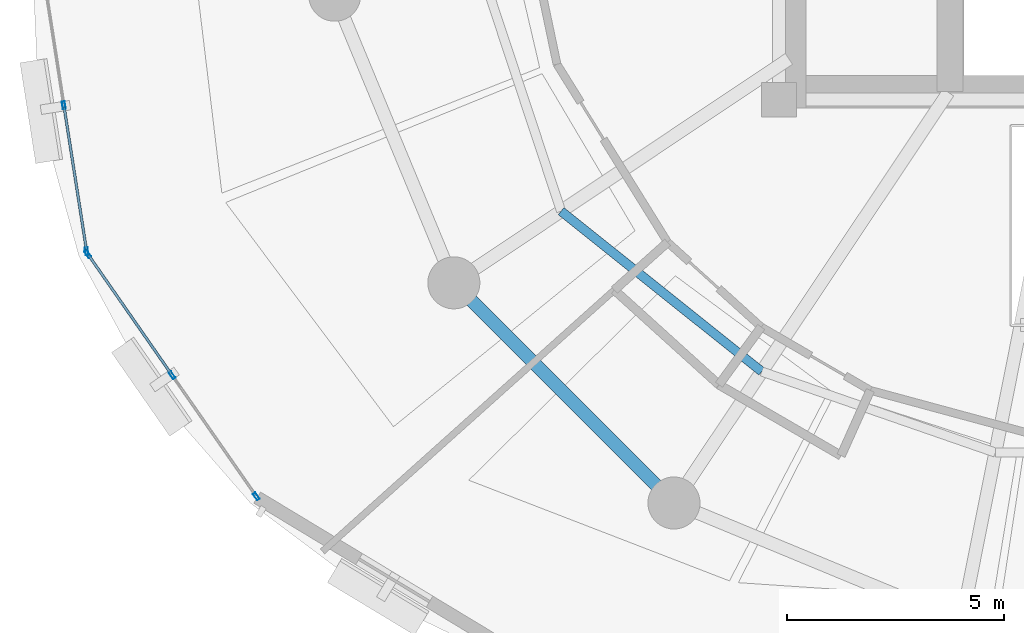
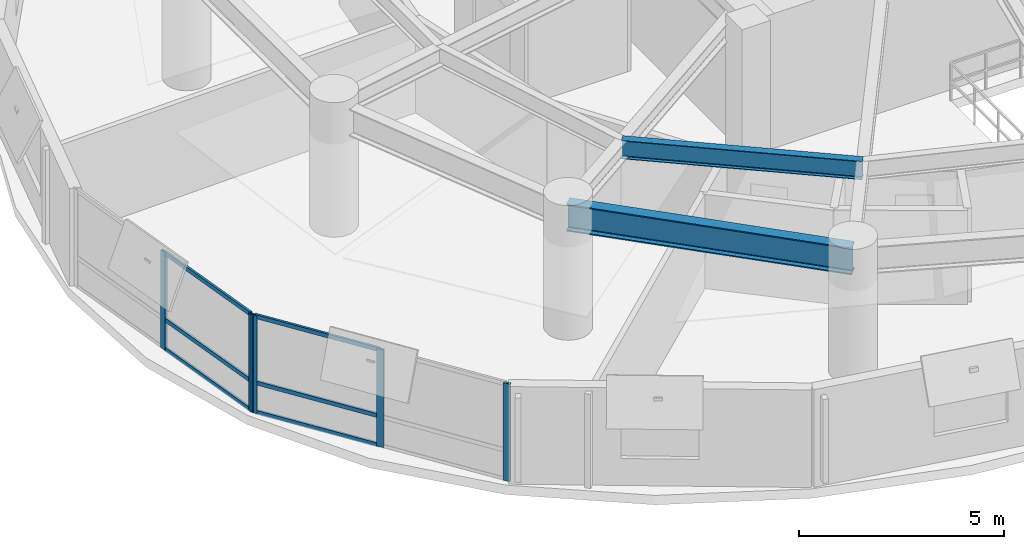
# One storey, part 2 of 14: 11 members, 2 beams, 2 elements without a shape of their own.
"""IFC4 building model written with IfcOpenShell, lengths in metres."""

from ifc_helpers import new_model, si_unit, direction, frame, origin, origin_2d, place, context, subcontext, project, spatial, hollow_rectangle, i_section, extrude, material, layer, layer_set, material_profile, profile_set, type_object, element, aggregate, save


model = new_model("IFC4")

# Units and contexts
model_context = context("Model", 3, precision=1e-05, world=origin(), true_north=direction((0.0, 1.0)))
body_context = subcontext(model_context, "Body", "Model", "MODEL_VIEW")
ifc_project = project(units=[si_unit("LENGTHUNIT", "METRE"), si_unit("AREAUNIT", "SQUARE_METRE"), si_unit("VOLUMEUNIT", "CUBIC_METRE"), si_unit("PLANEANGLEUNIT", "RADIAN"), si_unit("MASSUNIT", "GRAM", prefix="KILO"), si_unit("THERMODYNAMICTEMPERATUREUNIT", "KELVIN"), si_unit("POWERUNIT", "WATT")], contexts=[model_context])

# Site, building, storey
site_placement = place(None, origin())
site = spatial("IfcSite", under=ifc_project, at=site_placement, CompositionType="ELEMENT")
building_placement = place(site_placement, origin())
building = spatial("IfcBuilding", under=site, at=building_placement, Name="Ocrelia Relay Tower", CompositionType="ELEMENT")
storey_placement = place(building_placement, frame((0.0, 0.0, 125.800048828125)))
storey = spatial("IfcBuildingStorey", under=building, at=storey_placement, Name="L29", CompositionType="ELEMENT", Elevation=125.800048828125)

# Beams
ifc_material_1 = material(Name="Steel S355", Category="steel")
ifc_material_profile_1 = material_profile(ifc_material_1, i_section(OverallWidth=0.300048828125, OverallDepth=0.800048828125, WebThickness=0.017578125, FlangeThickness=0.032958984375, FilletRadius=0.030029296875, at=origin_2d()), Name="HEB 800")
ifc_profile_set_1 = profile_set([ifc_material_profile_1], Name="Steel S355")
beam_type_1 = type_object("IfcBeamType", Name="BM-HEB800", PredefinedType="BEAM", material=ifc_profile_set_1)
beam_1_placement = place(storey_placement, frame((18.700927734375, 15.777587890625, 3.320068359375), z_axis=(0.707106781187, -0.707106781187, 0.0), x_axis=(0.707106781187, 0.707106781187, 0.0)))
element("IfcBeam", 1, at=beam_1_placement, inside=storey, type_object=beam_type_1, Name="L29 Perimeter Spandrel Beam S10", PredefinedType="BEAM", context=body_context, shape_type="SweptSolid", body=[
    extrude(i_section(OverallWidth=0.300048828125, OverallDepth=0.800048828125, WebThickness=0.017578125, FlangeThickness=0.032958984375, FilletRadius=0.030029296875, at=origin_2d()), origin(), (0.0, 0.0, 1.0), 7.179443359375),
])
ifc_material_profile_2 = material_profile(ifc_material_1, i_section(OverallWidth=0.2099609375, OverallDepth=0.550048828125, WebThickness=0.010986328125, FlangeThickness=0.01708984375, FilletRadius=0.02392578125, at=origin_2d()), Name="IPE 550")
ifc_profile_set_2 = profile_set([ifc_material_profile_2], Name="Steel S355")
beam_type_2 = type_object("IfcBeamType", Name="BM-IPE550", PredefinedType="JOIST", material=ifc_profile_set_2)
beam_2_placement = place(storey_placement, frame((21.17431640625, 17.43017578125, 3.445068359375), z_axis=(0.781130070991, -0.62436833055, 0.0), x_axis=(0.62436833055, 0.781130070991, 0.0)))
element("IfcBeam", 2, at=beam_2_placement, inside=storey, type_object=beam_type_2, Name="L29 Secondary Floor Joist J10", PredefinedType="JOIST", context=body_context, shape_type="SweptSolid", body=[
    extrude(i_section(OverallWidth=0.2099609375, OverallDepth=0.550048828125, WebThickness=0.010986328125, FlangeThickness=0.01708984375, FilletRadius=0.02392578125, at=origin_2d()), origin(), (0.0, 0.0, 1.0), 5.92431640625),
])

# Curtain wall, members
ifc_material_2 = material(Name="Aluminium and solar-control low-E glass", Category="aluminium")
ifc_layer = layer(ifc_material_2, 0.179931640625, Name="Aluminium and solar-control low-E glass")
ifc_layer_set = layer_set([ifc_layer], Name="Aluminium and solar-control low-E glass")
curtain_wall_type = type_object("IfcCurtainWallType", Name="CW-SYS-Z2-SWIT", PredefinedType="NOTDEFINED", material=ifc_layer_set)
curtain_wall_1_placement = place(storey_placement, origin())
curtain_wall_1 = element("IfcCurtainWall", 3, at=curtain_wall_1_placement, inside=storey, type_object=curtain_wall_type, Name="L29 Elliptical Tower Curtain Wall Bay 09", PredefinedType="NOTDEFINED")
ifc_material_3 = material(Name="Anodised bronze aluminium", Category="aluminium")
ifc_material_profile_3 = material_profile(ifc_material_3, hollow_rectangle(XDim=0.070068359375, YDim=0.179931640625, WallThickness=0.006103515625, at=origin_2d()), Name="CW-MUL-180x70")
ifc_profile_set_3 = profile_set([ifc_material_profile_3], Name="Anodised bronze aluminium")
member_type_1 = type_object("IfcMemberType", Name="CW-SYS-Z2-SWIT-MUL", PredefinedType="MULLION", material=ifc_profile_set_3)
member_1_placement = place(storey_placement, frame((9.7080078125, 19.87060546875, 0.0), z_axis=(0.0, 0.0, 1.0), x_axis=(0.988011687309, 0.154379097489, 0.0)))
member_1 = element("IfcMember", 4, at=member_1_placement, type_object=member_type_1, Name="CW-Z2 mullion 2", PredefinedType="MULLION", context=body_context, shape_type="SweptSolid", body=[
    extrude(hollow_rectangle(XDim=0.070068359375, YDim=0.179931640625, WallThickness=0.006103515625, at=origin_2d()), origin(), (0.0, 0.0, 1.0), 2.89990234375),
])
member_2_placement = place(storey_placement, frame((10.233642578125, 16.5068359375, 0.0), z_axis=(0.0, 0.0, 1.0), x_axis=(0.988011687309, 0.154379097489, 0.0)))
member_2 = element("IfcMember", 5, at=member_2_placement, type_object=member_type_1, Name="CW-Z2 mullion 3", PredefinedType="MULLION", context=body_context, shape_type="SweptSolid", body=[
    extrude(hollow_rectangle(XDim=0.070068359375, YDim=0.179931640625, WallThickness=0.006103515625, at=origin_2d()), origin(), (0.0, 0.0, 1.0), 2.89990234375),
])

curtain_wall_2_placement = place(storey_placement, origin())
curtain_wall_2 = element("IfcCurtainWall", 6, at=curtain_wall_2_placement, inside=storey, type_object=curtain_wall_type, Name="L29 Elliptical Tower Curtain Wall Bay 10", PredefinedType="NOTDEFINED")
member_3_placement = place(storey_placement, frame((10.259033203125, 16.443359375, 0.0), z_axis=(0.0, 0.0, 1.0), x_axis=(0.820954679585, 0.570993357289, 0.0)))
member_3 = element("IfcMember", 7, at=member_3_placement, type_object=member_type_1, Name="CW-Z2 mullion 1", PredefinedType="MULLION", context=body_context, shape_type="SweptSolid", body=[
    extrude(hollow_rectangle(XDim=0.070068359375, YDim=0.179931640625, WallThickness=0.006103515625, at=origin_2d()), origin(), (0.0, 0.0, 1.0), 2.89990234375),
])
member_4_placement = place(storey_placement, frame((12.203125, 13.6484375, 0.0), z_axis=(0.0, 0.0, 1.0), x_axis=(0.820954679585, 0.570993357289, 0.0)))
member_4 = element("IfcMember", 8, at=member_4_placement, type_object=member_type_1, Name="CW-Z2 mullion 2", PredefinedType="MULLION", context=body_context, shape_type="SweptSolid", body=[
    extrude(hollow_rectangle(XDim=0.070068359375, YDim=0.179931640625, WallThickness=0.006103515625, at=origin_2d()), origin(), (0.0, 0.0, 1.0), 2.89990234375),
])
member_5_placement = place(storey_placement, frame((14.14697265625, 10.853515625, 0.0), z_axis=(0.0, 0.0, 1.0), x_axis=(0.820954679585, 0.570993357289, 0.0)))
member_5 = element("IfcMember", 9, at=member_5_placement, type_object=member_type_1, Name="CW-Z2 mullion 3", PredefinedType="MULLION", context=body_context, shape_type="SweptSolid", body=[
    extrude(hollow_rectangle(XDim=0.070068359375, YDim=0.179931640625, WallThickness=0.006103515625, at=origin_2d()), origin(), (0.0, 0.0, 1.0), 2.89990234375),
])

# Member
ifc_material_profile_4 = material_profile(ifc_material_3, hollow_rectangle(XDim=0.06005859375, YDim=0.1201171875, WallThickness=0.0048828125, at=origin_2d()), Name="CW-TRN-120x60")
ifc_profile_set_4 = profile_set([ifc_material_profile_4], Name="Anodised bronze aluminium")
member_type_2 = type_object("IfcMemberType", Name="CW-SYS-Z2-SWIT-TRN", PredefinedType="USERDEFINED", material=ifc_profile_set_4)
member_6_placement = place(storey_placement, frame((9.713623046875, 19.8359375, 0.030029296875), z_axis=(0.154334445508, -0.98801866325, 0.0), x_axis=(0.98801866325, 0.154334445508, 0.0)))
member_6 = element("IfcMember", 10, at=member_6_placement, type_object=member_type_2, Name="CW-Z2 transom 2.1", ObjectType="TRANSOM", PredefinedType="USERDEFINED", context=body_context, shape_type="SweptSolid", body=[
    extrude(hollow_rectangle(XDim=0.06005859375, YDim=0.1201171875, WallThickness=0.0048828125, at=origin_2d()), origin(), (0.0, 0.0, 1.0), 3.334716796875),
])

member_7_placement = place(storey_placement, frame((9.713623046875, 19.8359375, 0.89990234375), z_axis=(0.154334445508, -0.98801866325, 0.0), x_axis=(0.98801866325, 0.154334445508, 0.0)))
member_7 = element("IfcMember", 11, at=member_7_placement, type_object=member_type_2, Name="CW-Z2 transom 2.2", ObjectType="TRANSOM", PredefinedType="USERDEFINED", context=body_context, shape_type="SweptSolid", body=[
    extrude(hollow_rectangle(XDim=0.06005859375, YDim=0.1201171875, WallThickness=0.0048828125, at=origin_2d()), origin(), (0.0, 0.0, 1.0), 3.334716796875),
])

member_8_placement = place(storey_placement, frame((9.713623046875, 19.8359375, 2.869873046875), z_axis=(0.154334445508, -0.98801866325, 0.0), x_axis=(0.98801866325, 0.154334445508, 0.0)))
member_8 = element("IfcMember", 12, at=member_8_placement, type_object=member_type_2, Name="CW-Z2 transom 2.3", ObjectType="TRANSOM", PredefinedType="USERDEFINED", context=body_context, shape_type="SweptSolid", body=[
    extrude(hollow_rectangle(XDim=0.06005859375, YDim=0.1201171875, WallThickness=0.0048828125, at=origin_2d()), origin(), (0.0, 0.0, 1.0), 3.334716796875),
])

aggregate(curtain_wall_1, [member_1, member_2, member_6, member_7, member_8])

member_9_placement = place(storey_placement, frame((10.279052734375, 16.414794921875, 0.030029296875), z_axis=(0.570997987261, -0.82095145931, 0.0), x_axis=(0.82095145931, 0.570997987261, 0.0)))
member_9 = element("IfcMember", 13, at=member_9_placement, type_object=member_type_2, Name="CW-Z2 transom 1.1", ObjectType="TRANSOM", PredefinedType="USERDEFINED", context=body_context, shape_type="SweptSolid", body=[
    extrude(hollow_rectangle(XDim=0.06005859375, YDim=0.1201171875, WallThickness=0.0048828125, at=origin_2d()), origin(), (0.0, 0.0, 1.0), 3.334716796875),
])

member_10_placement = place(storey_placement, frame((10.279052734375, 16.414794921875, 0.89990234375), z_axis=(0.570997987261, -0.82095145931, 0.0), x_axis=(0.82095145931, 0.570997987261, 0.0)))
member_10 = element("IfcMember", 14, at=member_10_placement, type_object=member_type_2, Name="CW-Z2 transom 1.2", ObjectType="TRANSOM", PredefinedType="USERDEFINED", context=body_context, shape_type="SweptSolid", body=[
    extrude(hollow_rectangle(XDim=0.06005859375, YDim=0.1201171875, WallThickness=0.0048828125, at=origin_2d()), origin(), (0.0, 0.0, 1.0), 3.334716796875),
])

member_11_placement = place(storey_placement, frame((10.279052734375, 16.414794921875, 2.869873046875), z_axis=(0.570997987261, -0.82095145931, 0.0), x_axis=(0.82095145931, 0.570997987261, 0.0)))
member_11 = element("IfcMember", 15, at=member_11_placement, type_object=member_type_2, Name="CW-Z2 transom 1.3", ObjectType="TRANSOM", PredefinedType="USERDEFINED", context=body_context, shape_type="SweptSolid", body=[
    extrude(hollow_rectangle(XDim=0.06005859375, YDim=0.1201171875, WallThickness=0.0048828125, at=origin_2d()), origin(), (0.0, 0.0, 1.0), 3.334716796875),
])

aggregate(curtain_wall_2, [member_3, member_4, member_5, member_9, member_10, member_11])

save(model, "model.ifc")
